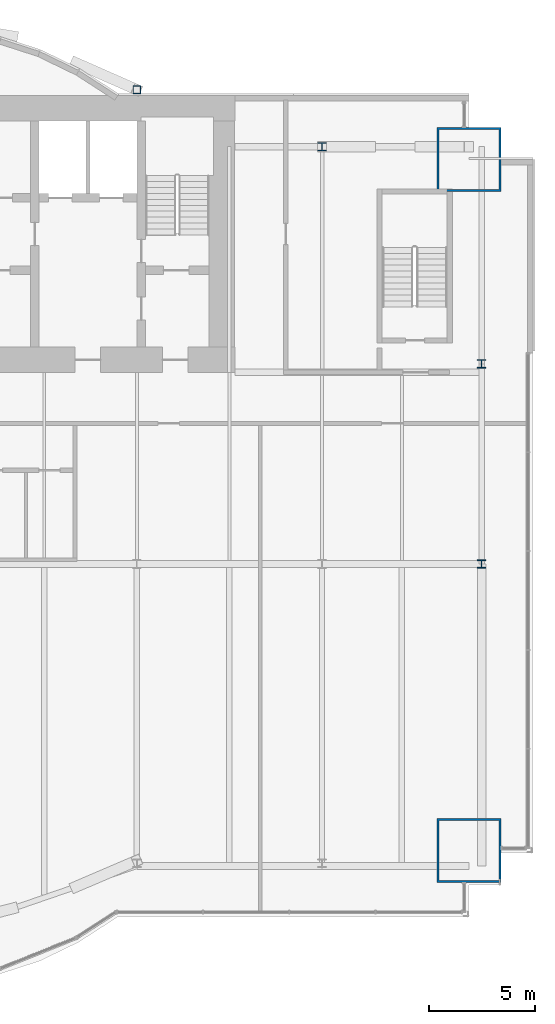
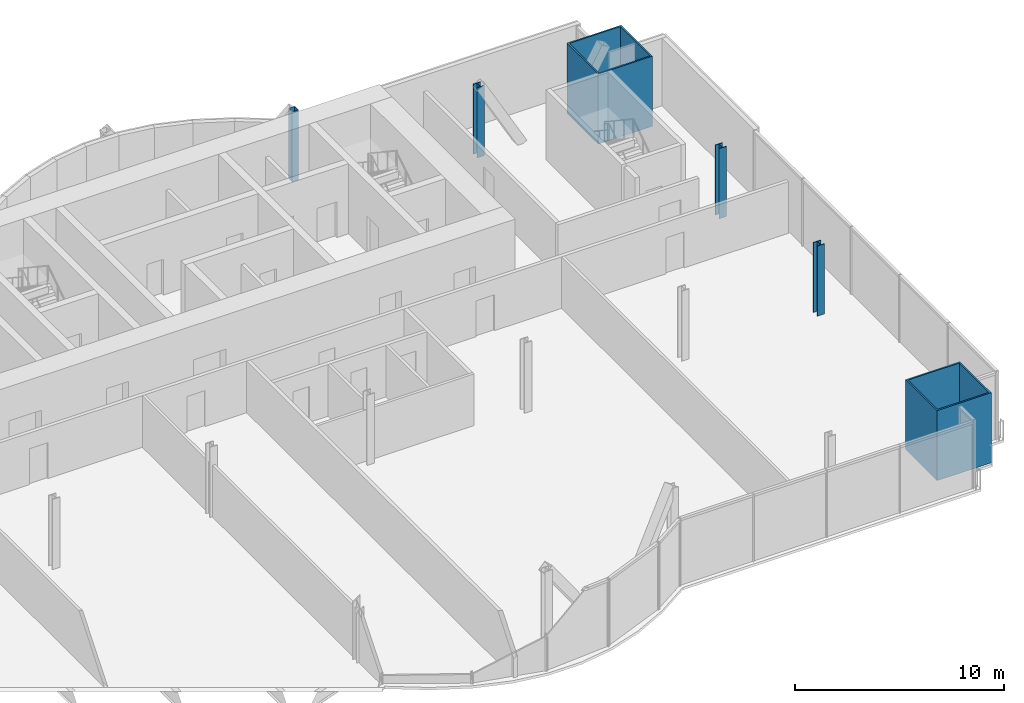
# One storey, part 3 of 21: 6 columns.
"""IFC4 building model written with IfcOpenShell, lengths in metres."""

import ifcopenshell
import ifcopenshell.guid

model = None  # the IFC model being written
_history = None  # IfcOwnerHistory: only IFC2X3 demands one
_inside = {}  # id of a spatial element -> (the spatial element, [elements in it])
_under = {}  # id of a project, library or spatial element -> (it, [spatial elements below it])
_declared = {}  # id of a project -> (the project, [libraries it declares])
_typed = {}  # id of a type object -> (the type object, [elements of that type])
_made_of = {}  # id of a material, layer set ... -> (it, [elements and type objects made of it])


def new_model(schema):
    """Start an empty IFC model of exactly this schema.

    Asked for "IFC4X3", IfcOpenShell would pick the latest addendum, in which some entities
    have other attributes; the version numbers below select the first issue.
    IFC2X3 requires an IfcOwnerHistory on every rooted entity: one is made here for all.
    """
    global model, _history
    if schema == "IFC4X3":
        model = ifcopenshell.file(schema_version=(4, 3, 0, 0))
    else:
        model = ifcopenshell.file(schema=schema)
    _inside.clear()
    _under.clear()
    _declared.clear()
    _typed.clear()
    _made_of.clear()
    _history = None
    if model.schema == "IFC2X3":
        org = make("IfcOrganization", Name="unknown")
        user = make(
            "IfcPersonAndOrganization",
            ThePerson=make("IfcPerson", FamilyName="unknown"),
            TheOrganization=org,
        )
        app = make(
            "IfcApplication",
            ApplicationDeveloper=org,
            Version="unknown",
            ApplicationFullName="unknown",
            ApplicationIdentifier="unknown",
        )
        _history = make(
            "IfcOwnerHistory",
            OwningUser=user,
            OwningApplication=app,
            ChangeAction="ADDED",
            CreationDate=0,
        )
    return model


def make(cls, **values):
    """One entity of the class cls with the attributes given. An attribute that is None is left unset."""
    return model.create_entity(
        cls, **{name: value for name, value in values.items() if value is not None}
    )


def rooted(cls, **values):
    """An entity with a GlobalId (a new one), such as an element, a storey or a relation."""
    return make(cls, GlobalId=ifcopenshell.guid.new(), OwnerHistory=_history, **values)


def si_unit(unit_type, name, prefix=None):
    """IfcSIUnit, for example si_unit("LENGTHUNIT", "METRE", prefix="MILLI")."""
    return make("IfcSIUnit", UnitType=unit_type, Prefix=prefix, Name=name)


def assignment(units):
    """IfcUnitAssignment: the units of a project."""
    return None if units is None else make("IfcUnitAssignment", Units=units)


def point(xyz):
    """IfcCartesianPoint."""
    return None if xyz is None else make("IfcCartesianPoint", Coordinates=xyz)


def direction(xyz):
    """IfcDirection."""
    return None if xyz is None else make("IfcDirection", DirectionRatios=xyz)


def frame(location, z_axis=None, x_axis=None):
    """IfcAxis2Placement3D, a coordinate frame: its origin and axes. An axis left out is left unset."""
    return make(
        "IfcAxis2Placement3D",
        Location=point(location),
        Axis=direction(z_axis),
        RefDirection=direction(x_axis),
    )


def frame_2d(location, x_axis=None):
    """IfcAxis2Placement2D, a coordinate frame in the plane: its origin and x axis."""
    return make(
        "IfcAxis2Placement2D", Location=point(location), RefDirection=direction(x_axis)
    )


def origin():
    """The frame at (0, 0, 0) with its axes left unset."""
    return frame((0.0, 0.0, 0.0))


def origin_2d():
    """The frame at (0, 0) in the plane with its x axis left unset."""
    return frame_2d((0.0, 0.0))


def place(relative_to, where):
    """IfcLocalPlacement: puts the frame where relative to a parent placement (None: the world)."""
    return make(
        "IfcLocalPlacement", PlacementRelTo=relative_to, RelativePlacement=where
    )


def context(
    kind, dimensions, precision=None, world=None, true_north=None, identifier=None
):
    """IfcGeometricRepresentationContext, for example the 3D "Model" context."""
    return make(
        "IfcGeometricRepresentationContext",
        ContextIdentifier=identifier,
        ContextType=kind,
        CoordinateSpaceDimension=dimensions,
        Precision=precision,
        WorldCoordinateSystem=world,
        TrueNorth=true_north,
    )


def subcontext(parent, identifier, kind, view, scale=None):
    """IfcGeometricRepresentationSubContext, for example "Body" below "Model"."""
    return make(
        "IfcGeometricRepresentationSubContext",
        ContextIdentifier=identifier,
        ContextType=kind,
        ParentContext=parent,
        TargetScale=scale,
        TargetView=view,
    )


def project(units=None, contexts=None):
    """IfcProject with its units and contexts."""
    return rooted(
        "IfcProject",
        Name="project",
        RepresentationContexts=contexts,
        UnitsInContext=assignment(units),
    )


def spatial(cls, under=None, at=None, **own):
    """A site, building, storey or space (cls), placed at a placement, below another one or the project."""
    s = rooted(cls, ObjectPlacement=at, **own)
    if under is not None:
        _under.setdefault(under.id(), (under, []))[1].append(s)
    return s


def profile(cls, at=None, kind="AREA", **sizes):
    """A parametric profile (cls). Its sizes go by their IFC names, for example OverallWidth=200.0."""
    return make(cls, ProfileType=kind, Position=at, **sizes)


def hollow_rectangle(**sizes):
    """IfcRectangleHollowProfileDef."""
    return profile("IfcRectangleHollowProfileDef", **sizes)


def i_section(**sizes):
    """IfcIShapeProfileDef."""
    return profile("IfcIShapeProfileDef", **sizes)


def extrude(swept, where, along, depth):
    """IfcExtrudedAreaSolid: the profile swept, set in the frame where, extruded along a direction by depth."""
    return make(
        "IfcExtrudedAreaSolid",
        SweptArea=swept,
        Position=where,
        ExtrudedDirection=direction(along),
        Depth=depth,
    )


def shape(context_of_items, identifier, shape_type, items):
    """IfcShapeRepresentation: the items that make up one representation, for example the "Body"."""
    return make(
        "IfcShapeRepresentation",
        ContextOfItems=context_of_items,
        RepresentationIdentifier=identifier,
        RepresentationType=shape_type,
        Items=items,
    )


def material(Name=None, Category=None):
    """IfcMaterial."""
    return make("IfcMaterial", Name=Name, Category=Category)


def material_profile(
    of_material, cross_section, Name=None, Category=None, Priority=None
):
    """IfcMaterialProfile: a cross section and its material."""
    return make(
        "IfcMaterialProfile",
        Name=Name,
        Material=of_material,
        Profile=cross_section,
        Priority=Priority,
        Category=Category,
    )


def profile_set(profiles, Name=None, composite=None):
    """IfcMaterialProfileSet."""
    return make(
        "IfcMaterialProfileSet",
        Name=Name,
        MaterialProfiles=profiles,
        CompositeProfile=composite,
    )


def made_of(thing, what):
    """Note that an element or type object is made of a material, layer set ...; save() writes the relation."""
    if what is not None:
        _made_of.setdefault(what.id(), (what, []))[1].append(thing)
    return thing


def type_object(cls, material=None, **own):
    """A type object (cls), such as IfcWallType, which elements share."""
    return made_of(rooted(cls, **own), material)


def element(
    cls,
    number,
    at=None,
    inside=None,
    cuts=None,
    type_object=None,
    material=None,
    context=None,
    identifier="Body",
    shape_type=None,
    held_by="IfcProductDefinitionShape",
    body=None,
    shapes=None,
    **own,
):
    """One element of the class cls, such as IfcWall. Its Tag is "e" and its number.

    at: its placement. inside: the storey or other place that contains it. cuts: it is an
    opening in that element (IfcRelVoidsElement). A single representation is given by context,
    identifier, shape_type and body (its items); several are given by shapes. held_by: the class
    of the entity that holds the representations. save() writes the other relations.
    """
    e = rooted(cls, Tag="e%d" % number, ObjectPlacement=at, **own)
    if body is not None:
        shapes = [shape(context, identifier, shape_type, body)]
    if shapes is not None:
        e.Representation = make(held_by, Representations=shapes)
    if inside is not None:
        _inside.setdefault(inside.id(), (inside, []))[1].append(e)
    if cuts is not None:
        rooted(
            "IfcRelVoidsElement", RelatingBuildingElement=cuts, RelatedOpeningElement=e
        )
    if type_object is not None:
        _typed.setdefault(type_object.id(), (type_object, []))[1].append(e)
    return made_of(e, material)


def aggregate(whole, parts):
    """IfcRelAggregates: a whole, such as a stair, and the parts it consists of."""
    return rooted("IfcRelAggregates", RelatingObject=whole, RelatedObjects=parts)


def save(model, path):
    """Write the relations noted so far, then the file.

    IfcRelAggregates (storeys below a building ...), IfcRelContainedInSpatialStructure (elements
    in a storey), IfcRelDefinesByType, IfcRelAssociatesMaterial and IfcRelDeclares: one each for
    every whole, place, type object, material and project.
    """
    for whole, parts in _under.values():
        aggregate(whole, parts)
    for where, things in _inside.values():
        rooted(
            "IfcRelContainedInSpatialStructure",
            RelatedElements=things,
            RelatingStructure=where,
        )
    for kind, things in _typed.values():
        rooted("IfcRelDefinesByType", RelatedObjects=things, RelatingType=kind)
    for what, things in _made_of.values():
        rooted("IfcRelAssociatesMaterial", RelatedObjects=things, RelatingMaterial=what)
    for by, libraries in _declared.values():
        rooted("IfcRelDeclares", RelatingContext=by, RelatedDefinitions=libraries)
    model.write(path)


model = new_model("IFC4")

# Units and contexts
model_context = context("Model", 3, precision=1e-05, world=origin(), true_north=direction((0.0, 1.0)))
body_context = subcontext(model_context, "Body", "Model", "MODEL_VIEW")
ifc_project = project(units=[si_unit("LENGTHUNIT", "METRE"), si_unit("AREAUNIT", "SQUARE_METRE"), si_unit("VOLUMEUNIT", "CUBIC_METRE"), si_unit("PLANEANGLEUNIT", "RADIAN"), si_unit("MASSUNIT", "GRAM", prefix="KILO")], contexts=[model_context])

# Site, building, storey
site_placement = place(None, origin())
site = spatial("IfcSite", under=ifc_project, at=site_placement, CompositionType="ELEMENT")
building_placement = place(site_placement, origin())
building = spatial("IfcBuilding", under=site, at=building_placement, Name="Bicima Exchange Tower", CompositionType="ELEMENT")
storey_placement = place(building_placement, frame((0.0, 0.0, 98.10009765625)))
storey = spatial("IfcBuildingStorey", under=building, at=storey_placement, Name="L20", CompositionType="ELEMENT", Elevation=98.10009765625)

# Columns
ifc_material_1 = material(Name="Steel ASTM A572 Gr 50", Category="steel")
ifc_material_profile_1 = material_profile(ifc_material_1, hollow_rectangle(XDim=3.0, YDim=3.0, WallThickness=0.090087890625, at=origin_2d()))
ifc_profile_set_1 = profile_set([ifc_material_profile_1], Name="Steel ASTM A572 Gr 50")
column_type_1 = type_object("IfcColumnType", Name="Mega column BOX 3000x3000x90", PredefinedType="COLUMN", material=ifc_profile_set_1)
for number, where, z_axis, x_axis, name in (
    (1, (33.0, -35.4619140625, 0.0), (0.0, 0.0, 1.0), (1.0, 0.0, 0.0), "Mega column mega+33.0f"),
    (2, (33.0, -3.0, 0.0), (0.0, 0.0, 1.0), (1.0, 0.0, 0.0), "Mega column mega+33.0r"),
):
    element("IfcColumn", number, at=place(storey_placement, frame(where, z_axis=z_axis, x_axis=x_axis)), inside=storey, type_object=column_type_1, Name=name, PredefinedType="COLUMN", context=body_context, shape_type="SweptSolid", body=[
        extrude(hollow_rectangle(XDim=3.0, YDim=3.0, WallThickness=0.090087890625, at=origin_2d()), origin(), (0.0, 0.0, 1.0), 4.099853515625),
    ])
ifc_material_2 = material(Name="Steel ASTM A992 Gr 50", Category="steel")
ifc_material_profile_2 = material_profile(ifc_material_2, i_section(OverallWidth=0.398681640625, OverallDepth=0.393798828125, WebThickness=0.022705078125, FlangeThickness=0.03662109375, at=origin_2d()))
ifc_profile_set_2 = profile_set([ifc_material_profile_2], Name="Steel ASTM A992 Gr 50")
column_type_2 = type_object("IfcColumnType", Name="Perimeter column W14x193", PredefinedType="COLUMN", material=ifc_profile_set_2)
for number, where, z_axis, x_axis, name in (
    (3, (26.10009765625, -2.39990234375, 0.0), (0.0, 0.0, 1.0), (1.0, 0.0, 0.0), "Perimeter column grav+26.1r"),
    (4, (33.60009765625, -12.60009765625, 0.0), (0.0, 0.0, 1.0), (1.0, 0.0, 0.0), "End column end+33.6e"),
    (5, (33.60009765625, -22.0, 0.0), (0.0, 0.0, 1.0), (1.0, 0.0, 0.0), "End column end+33.6e"),
):
    element("IfcColumn", number, at=place(storey_placement, frame(where, z_axis=z_axis, x_axis=x_axis)), inside=storey, type_object=column_type_2, Name=name, PredefinedType="COLUMN", context=body_context, shape_type="SweptSolid", body=[
        extrude(i_section(OverallWidth=0.398681640625, OverallDepth=0.393798828125, WebThickness=0.022705078125, FlangeThickness=0.03662109375, at=origin_2d()), origin(), (0.0, 0.0, 1.0), 4.099853515625),
    ])
ifc_material_profile_3 = material_profile(ifc_material_1, hollow_rectangle(XDim=0.355712890625, YDim=0.355712890625, WallThickness=0.01171875, at=origin_2d()))
ifc_profile_set_3 = profile_set([ifc_material_profile_3], Name="Steel ASTM A572 Gr 50")
column_type_3 = type_object("IfcColumnType", Name="Rear pilaster HSS14x14x1/2", PredefinedType="COLUMN", material=ifc_profile_set_3)
column_placement = place(storey_placement, frame((17.39990234375, 0.278076171875, 0.0), z_axis=(0.0, 0.0, 1.0), x_axis=(1.0, 0.0, 0.0)))
element("IfcColumn", 6, at=column_placement, inside=storey, type_object=column_type_3, Name="Rear pilaster rexo+17.4r", PredefinedType="COLUMN", context=body_context, shape_type="SweptSolid", body=[
    extrude(hollow_rectangle(XDim=0.355712890625, YDim=0.355712890625, WallThickness=0.01171875, at=origin_2d()), origin(), (0.0, 0.0, 1.0), 4.099853515625),
])

save(model, "model.ifc")
